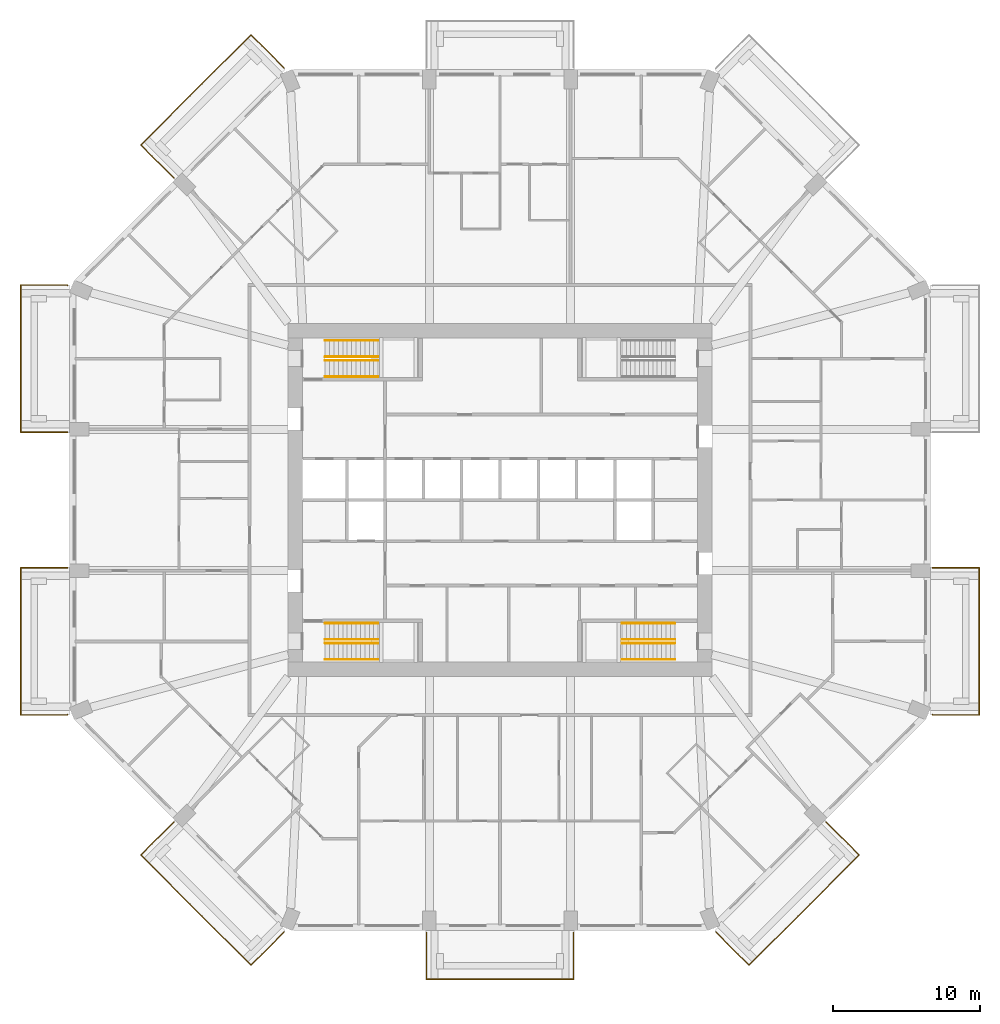
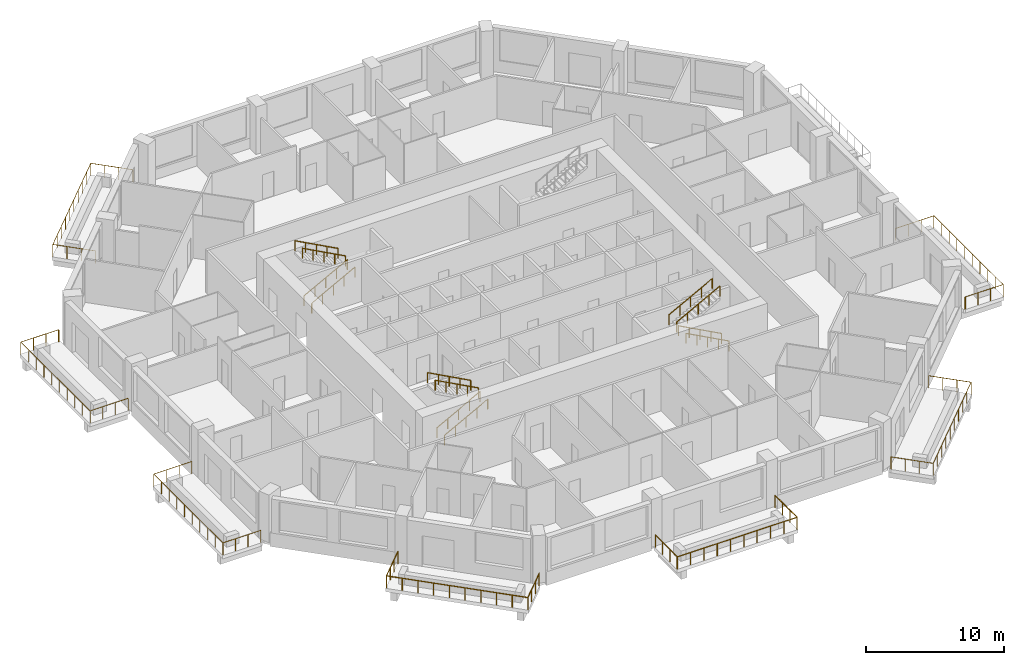
# One storey, part 12 of 13: 19 railings.
"""IFC4 building model written with IfcOpenShell, lengths in metres."""

from ifc_helpers import new_model, si_unit, direction, frame, origin, origin_2d, place, context, subcontext, project, spatial, circle, extrude, material, constituent, constituent_set, type_object, element, save


model = new_model("IFC4")

# Units and contexts
model_context = context("Model", 3, precision=1e-05, world=origin(), true_north=direction((0.0, 1.0)))
body_context = subcontext(model_context, "Body", "Model", "MODEL_VIEW")
ifc_project = project(units=[si_unit("LENGTHUNIT", "METRE"), si_unit("AREAUNIT", "SQUARE_METRE"), si_unit("VOLUMEUNIT", "CUBIC_METRE"), si_unit("PLANEANGLEUNIT", "RADIAN"), si_unit("MASSUNIT", "GRAM", prefix="KILO")], contexts=[model_context])

# Site, building, storey
site_placement = place(None, origin())
site = spatial("IfcSite", under=ifc_project, at=site_placement, CompositionType="ELEMENT")
building_placement = place(site_placement, origin())
building = spatial("IfcBuilding", under=site, at=building_placement, Name="Msitu Wima Residences", CompositionType="ELEMENT")
storey_placement = place(building_placement, frame((0.0, 0.0, 92.699951171875)))
storey = spatial("IfcBuildingStorey", under=building, at=storey_placement, Name="L21", CompositionType="ELEMENT", Elevation=92.699951171875)

# Railings
ifc_material_1 = material(Name="Steel S355", Category="steel")
ifc_constituent_1 = constituent(ifc_material_1, Name="Steel S355")
ifc_material_2 = material(Name="Weathering patina")
ifc_constituent_2 = constituent(ifc_material_2, Name="Weathering patina")
ifc_constituent_set_1 = constituent_set(constituents=[ifc_constituent_1, ifc_constituent_2], Name="Steel S355")
railing_type_1 = type_object("IfcRailingType", Name="Balcony guard GR1100", PredefinedType="GUARDRAIL", material=ifc_constituent_set_1)
railing_1_placement = place(storey_placement, frame((29.3798828125, -4.60009765625, 0.0)))
element("IfcRailing", 1, at=railing_1_placement, inside=storey, type_object=railing_type_1, Name="Balcony guard E0 L21", PredefinedType="GUARDRAIL", context=body_context, shape_type="SweptSolid", body=[
    extrude(circle(Radius=0.02392578125, at=origin_2d()), frame((0.0, 0.0, 1.076171875), z_axis=(1.0, 0.0, 0.0), x_axis=(0.0, 1.0, 0.0)), (0.0, 0.0, 1.0), 3.170166015625),
    extrude(circle(Radius=0.02392578125, at=origin_2d()), frame((3.170166015625, 0.0, 1.076171875), z_axis=(0.0, -1.0, 0.0), x_axis=(1.0, 0.0, 0.0)), (0.0, 0.0, 1.0), 10.0),
    extrude(circle(Radius=0.02392578125, at=origin_2d()), frame((3.170166015625, -10.0, 1.076171875), z_axis=(-1.0, 0.0, 0.0), x_axis=(0.0, -1.0, 0.0)), (0.0, 0.0, 1.0), 3.136474609375),
    extrude(circle(Radius=0.02392578125, at=origin_2d()), frame((0.03369140625, -10.0, 1.076171875), z_axis=(-0.92426142649, 0.38176015442, 0.0), x_axis=(-0.38176015442, -0.92426142649, 0.0)), (0.0, 0.0, 1.0), 0.036376953125),
    extrude(circle(Radius=0.02099609375, at=origin_2d()), origin(), (0.0, 0.0, 1.0), 1.052001953125),
    extrude(circle(Radius=0.02099609375, at=origin_2d()), frame((1.056640625, 0.0, 0.0)), (0.0, 0.0, 1.0), 1.052001953125),
    extrude(circle(Radius=0.02099609375, at=origin_2d()), frame((2.113525390625, 0.0, 0.0)), (0.0, 0.0, 1.0), 1.052001953125),
    extrude(circle(Radius=0.02099609375, at=origin_2d()), frame((3.170166015625, 0.0, 0.0)), (0.0, 0.0, 1.0), 1.052001953125),
    extrude(circle(Radius=0.02099609375, at=origin_2d()), frame((3.170166015625, -1.111083984375, 0.0)), (0.0, 0.0, 1.0), 1.052001953125),
    extrude(circle(Radius=0.02099609375, at=origin_2d()), frame((3.170166015625, -2.22216796875, 0.0)), (0.0, 0.0, 1.0), 1.052001953125),
    extrude(circle(Radius=0.02099609375, at=origin_2d()), frame((3.170166015625, -3.333251953125, 0.0)), (0.0, 0.0, 1.0), 1.052001953125),
    extrude(circle(Radius=0.02099609375, at=origin_2d()), frame((3.170166015625, -4.4443359375, 0.0)), (0.0, 0.0, 1.0), 1.052001953125),
    extrude(circle(Radius=0.02099609375, at=origin_2d()), frame((3.170166015625, -5.5556640625, 0.0)), (0.0, 0.0, 1.0), 1.052001953125),
    extrude(circle(Radius=0.02099609375, at=origin_2d()), frame((3.170166015625, -6.666748046875, 0.0)), (0.0, 0.0, 1.0), 1.052001953125),
    extrude(circle(Radius=0.02099609375, at=origin_2d()), frame((3.170166015625, -7.77783203125, 0.0)), (0.0, 0.0, 1.0), 1.052001953125),
    extrude(circle(Radius=0.02099609375, at=origin_2d()), frame((3.170166015625, -8.888916015625, 0.0)), (0.0, 0.0, 1.0), 1.052001953125),
    extrude(circle(Radius=0.02099609375, at=origin_2d()), frame((3.170166015625, -10.0, 0.0)), (0.0, 0.0, 1.0), 1.052001953125),
    extrude(circle(Radius=0.02099609375, at=origin_2d()), frame((2.124755859375, -10.0, 0.0)), (0.0, 0.0, 1.0), 1.052001953125),
    extrude(circle(Radius=0.02099609375, at=origin_2d()), frame((1.0791015625, -10.0, 0.0)), (0.0, 0.0, 1.0), 1.052001953125),
    extrude(circle(Radius=0.02099609375, at=origin_2d()), frame((0.03369140625, -10.0, 0.0)), (0.0, 0.0, 1.0), 1.052001953125),
    extrude(circle(Radius=0.02099609375, at=origin_2d()), frame((0.0, -9.986083984375, 0.0)), (0.0, 0.0, 1.0), 1.052001953125),
])
railing_2_placement = place(storey_placement, frame((-22.151611328125, 21.86865234375, 0.0)))
element("IfcRailing", 2, at=railing_2_placement, inside=storey, type_object=railing_type_1, Name="Balcony guard NW0 L21", PredefinedType="GUARDRAIL", context=body_context, shape_type="SweptSolid", body=[
    extrude(circle(Radius=0.02392578125, at=origin_2d()), frame((0.0, 0.0, 1.076171875), z_axis=(-0.707068272989, 0.707145287287, 0.0), x_axis=(-0.707145287287, -0.707068272989, 0.0)), (0.0, 0.0, 1.0), 3.170166015625),
    extrude(circle(Radius=0.02392578125, at=origin_2d()), frame((-2.241455078125, 2.24169921875, 1.076171875), z_axis=(0.707118316465, 0.70709524572, 0.0), x_axis=(-0.70709524572, 0.707118316465, 0.0)), (0.0, 0.0, 1.0), 10.582275390625),
    extrude(circle(Radius=0.02392578125, at=origin_2d()), frame((5.241455078125, 9.724365234375, 1.076171875), z_axis=(0.707106781187, -0.707106781187, 0.0), x_axis=(0.707106781187, 0.707106781187, 0.0)), (0.0, 0.0, 1.0), 3.136474609375),
    extrude(circle(Radius=0.02392578125, at=origin_2d()), frame((7.459228515625, 7.506591796875, 1.076171875), z_axis=(0.384136806859, -0.923276184907, 0.0), x_axis=(0.923276184907, 0.384136806859, 0.0)), (0.0, 0.0, 1.0), 0.0361328125),
    extrude(circle(Radius=0.02099609375, at=origin_2d()), origin(), (0.0, 0.0, 1.0), 1.052001953125),
    extrude(circle(Radius=0.02099609375, at=origin_2d()), frame((-0.7470703125, 0.747314453125, 0.0)), (0.0, 0.0, 1.0), 1.052001953125),
    extrude(circle(Radius=0.02099609375, at=origin_2d()), frame((-1.494384765625, 1.494384765625, 0.0)), (0.0, 0.0, 1.0), 1.052001953125),
    extrude(circle(Radius=0.02099609375, at=origin_2d()), frame((-2.241455078125, 2.24169921875, 0.0)), (0.0, 0.0, 1.0), 1.052001953125),
    extrude(circle(Radius=0.02099609375, at=origin_2d()), frame((-1.409912109375, 3.072998046875, 0.0)), (0.0, 0.0, 1.0), 1.052001953125),
    extrude(circle(Radius=0.02099609375, at=origin_2d()), frame((-0.57861328125, 3.904541015625, 0.0)), (0.0, 0.0, 1.0), 1.052001953125),
    extrude(circle(Radius=0.02099609375, at=origin_2d()), frame((0.2529296875, 4.73583984375, 0.0)), (0.0, 0.0, 1.0), 1.052001953125),
    extrude(circle(Radius=0.02099609375, at=origin_2d()), frame((1.084228515625, 5.5673828125, 0.0)), (0.0, 0.0, 1.0), 1.052001953125),
    extrude(circle(Radius=0.02099609375, at=origin_2d()), frame((1.915771484375, 6.398681640625, 0.0)), (0.0, 0.0, 1.0), 1.052001953125),
    extrude(circle(Radius=0.02099609375, at=origin_2d()), frame((2.7470703125, 7.230224609375, 0.0)), (0.0, 0.0, 1.0), 1.052001953125),
    extrude(circle(Radius=0.02099609375, at=origin_2d()), frame((3.57861328125, 8.0615234375, 0.0)), (0.0, 0.0, 1.0), 1.052001953125),
    extrude(circle(Radius=0.02099609375, at=origin_2d()), frame((4.409912109375, 8.89306640625, 0.0)), (0.0, 0.0, 1.0), 1.052001953125),
    extrude(circle(Radius=0.02099609375, at=origin_2d()), frame((5.241455078125, 9.724365234375, 0.0)), (0.0, 0.0, 1.0), 1.052001953125),
    extrude(circle(Radius=0.02099609375, at=origin_2d()), frame((5.980712890625, 8.985107421875, 0.0)), (0.0, 0.0, 1.0), 1.052001953125),
    extrude(circle(Radius=0.02099609375, at=origin_2d()), frame((6.719970703125, 8.245849609375, 0.0)), (0.0, 0.0, 1.0), 1.052001953125),
    extrude(circle(Radius=0.02099609375, at=origin_2d()), frame((7.459228515625, 7.506591796875, 0.0)), (0.0, 0.0, 1.0), 1.052001953125),
    extrude(circle(Radius=0.02099609375, at=origin_2d()), frame((7.47314453125, 7.47314453125, 0.0)), (0.0, 0.0, 1.0), 1.052001953125),
])
railing_3_placement = place(storey_placement, frame((-29.3798828125, 4.60009765625, 0.0)))
element("IfcRailing", 3, at=railing_3_placement, inside=storey, type_object=railing_type_1, Name="Balcony guard W0 L21", PredefinedType="GUARDRAIL", context=body_context, shape_type="SweptSolid", body=[
    extrude(circle(Radius=0.02392578125, at=origin_2d()), frame((0.0, 0.0, 1.076171875), z_axis=(-1.0, 0.0, 0.0), x_axis=(0.0, -1.0, 0.0)), (0.0, 0.0, 1.0), 3.170166015625),
    extrude(circle(Radius=0.02392578125, at=origin_2d()), frame((-3.170166015625, 0.0, 1.076171875), z_axis=(0.0, 1.0, 0.0), x_axis=(-1.0, 0.0, 0.0)), (0.0, 0.0, 1.0), 10.0),
    extrude(circle(Radius=0.02392578125, at=origin_2d()), frame((-3.170166015625, 10.0, 1.076171875), z_axis=(1.0, 0.0, 0.0), x_axis=(0.0, 1.0, 0.0)), (0.0, 0.0, 1.0), 3.136474609375),
    extrude(circle(Radius=0.02392578125, at=origin_2d()), frame((-0.03369140625, 10.0, 1.076171875), z_axis=(0.92426142649, -0.38176015442, 0.0), x_axis=(0.38176015442, 0.92426142649, 0.0)), (0.0, 0.0, 1.0), 0.036376953125),
    extrude(circle(Radius=0.02099609375, at=origin_2d()), origin(), (0.0, 0.0, 1.0), 1.052001953125),
    extrude(circle(Radius=0.02099609375, at=origin_2d()), frame((-1.056640625, 0.0, 0.0)), (0.0, 0.0, 1.0), 1.052001953125),
    extrude(circle(Radius=0.02099609375, at=origin_2d()), frame((-2.113525390625, 0.0, 0.0)), (0.0, 0.0, 1.0), 1.052001953125),
    extrude(circle(Radius=0.02099609375, at=origin_2d()), frame((-3.170166015625, 0.0, 0.0)), (0.0, 0.0, 1.0), 1.052001953125),
    extrude(circle(Radius=0.02099609375, at=origin_2d()), frame((-3.170166015625, 1.111083984375, 0.0)), (0.0, 0.0, 1.0), 1.052001953125),
    extrude(circle(Radius=0.02099609375, at=origin_2d()), frame((-3.170166015625, 2.22216796875, 0.0)), (0.0, 0.0, 1.0), 1.052001953125),
    extrude(circle(Radius=0.02099609375, at=origin_2d()), frame((-3.170166015625, 3.333251953125, 0.0)), (0.0, 0.0, 1.0), 1.052001953125),
    extrude(circle(Radius=0.02099609375, at=origin_2d()), frame((-3.170166015625, 4.4443359375, 0.0)), (0.0, 0.0, 1.0), 1.052001953125),
    extrude(circle(Radius=0.02099609375, at=origin_2d()), frame((-3.170166015625, 5.5556640625, 0.0)), (0.0, 0.0, 1.0), 1.052001953125),
    extrude(circle(Radius=0.02099609375, at=origin_2d()), frame((-3.170166015625, 6.666748046875, 0.0)), (0.0, 0.0, 1.0), 1.052001953125),
    extrude(circle(Radius=0.02099609375, at=origin_2d()), frame((-3.170166015625, 7.77783203125, 0.0)), (0.0, 0.0, 1.0), 1.052001953125),
    extrude(circle(Radius=0.02099609375, at=origin_2d()), frame((-3.170166015625, 8.888916015625, 0.0)), (0.0, 0.0, 1.0), 1.052001953125),
    extrude(circle(Radius=0.02099609375, at=origin_2d()), frame((-3.170166015625, 10.0, 0.0)), (0.0, 0.0, 1.0), 1.052001953125),
    extrude(circle(Radius=0.02099609375, at=origin_2d()), frame((-2.124755859375, 10.0, 0.0)), (0.0, 0.0, 1.0), 1.052001953125),
    extrude(circle(Radius=0.02099609375, at=origin_2d()), frame((-1.0791015625, 10.0, 0.0)), (0.0, 0.0, 1.0), 1.052001953125),
    extrude(circle(Radius=0.02099609375, at=origin_2d()), frame((-0.03369140625, 10.0, 0.0)), (0.0, 0.0, 1.0), 1.052001953125),
    extrude(circle(Radius=0.02099609375, at=origin_2d()), frame((0.0, 9.986083984375, 0.0)), (0.0, 0.0, 1.0), 1.052001953125),
])
railing_4_placement = place(storey_placement, frame((-29.3798828125, -14.586181640625, 0.0)))
element("IfcRailing", 4, at=railing_4_placement, inside=storey, type_object=railing_type_1, Name="Balcony guard W2 L21", PredefinedType="GUARDRAIL", context=body_context, shape_type="SweptSolid", body=[
    extrude(circle(Radius=0.02392578125, at=origin_2d()), frame((0.0, 0.0, 1.076171875), z_axis=(-0.92426142649, -0.38176015442, 0.0), x_axis=(0.38176015442, -0.92426142649, 0.0)), (0.0, 0.0, 1.0), 0.036376953125),
    extrude(circle(Radius=0.02392578125, at=origin_2d()), frame((-0.03369140625, -0.013916015625, 1.076171875), z_axis=(-1.0, 0.0, 0.0), x_axis=(0.0, -1.0, 0.0)), (0.0, 0.0, 1.0), 3.136474609375),
    extrude(circle(Radius=0.02392578125, at=origin_2d()), frame((-3.170166015625, -0.013916015625, 1.076171875), z_axis=(0.0, 1.0, 0.0), x_axis=(-1.0, 0.0, 0.0)), (0.0, 0.0, 1.0), 10.0),
    extrude(circle(Radius=0.02392578125, at=origin_2d()), frame((-3.170166015625, 9.986083984375, 1.076171875), z_axis=(1.0, 0.0, 0.0), x_axis=(0.0, 1.0, 0.0)), (0.0, 0.0, 1.0), 3.170166015625),
    extrude(circle(Radius=0.02099609375, at=origin_2d()), origin(), (0.0, 0.0, 1.0), 1.052001953125),
    extrude(circle(Radius=0.02099609375, at=origin_2d()), frame((-0.03369140625, -0.013916015625, 0.0)), (0.0, 0.0, 1.0), 1.052001953125),
    extrude(circle(Radius=0.02099609375, at=origin_2d()), frame((-1.0791015625, -0.013916015625, 0.0)), (0.0, 0.0, 1.0), 1.052001953125),
    extrude(circle(Radius=0.02099609375, at=origin_2d()), frame((-2.124755859375, -0.013916015625, 0.0)), (0.0, 0.0, 1.0), 1.052001953125),
    extrude(circle(Radius=0.02099609375, at=origin_2d()), frame((-3.170166015625, -0.013916015625, 0.0)), (0.0, 0.0, 1.0), 1.052001953125),
    extrude(circle(Radius=0.02099609375, at=origin_2d()), frame((-3.170166015625, 1.09716796875, 0.0)), (0.0, 0.0, 1.0), 1.052001953125),
    extrude(circle(Radius=0.02099609375, at=origin_2d()), frame((-3.170166015625, 2.208251953125, 0.0)), (0.0, 0.0, 1.0), 1.052001953125),
    extrude(circle(Radius=0.02099609375, at=origin_2d()), frame((-3.170166015625, 3.3193359375, 0.0)), (0.0, 0.0, 1.0), 1.052001953125),
    extrude(circle(Radius=0.02099609375, at=origin_2d()), frame((-3.170166015625, 4.430419921875, 0.0)), (0.0, 0.0, 1.0), 1.052001953125),
    extrude(circle(Radius=0.02099609375, at=origin_2d()), frame((-3.170166015625, 5.541748046875, 0.0)), (0.0, 0.0, 1.0), 1.052001953125),
    extrude(circle(Radius=0.02099609375, at=origin_2d()), frame((-3.170166015625, 6.65283203125, 0.0)), (0.0, 0.0, 1.0), 1.052001953125),
    extrude(circle(Radius=0.02099609375, at=origin_2d()), frame((-3.170166015625, 7.763916015625, 0.0)), (0.0, 0.0, 1.0), 1.052001953125),
    extrude(circle(Radius=0.02099609375, at=origin_2d()), frame((-3.170166015625, 8.875, 0.0)), (0.0, 0.0, 1.0), 1.052001953125),
    extrude(circle(Radius=0.02099609375, at=origin_2d()), frame((-3.170166015625, 9.986083984375, 0.0)), (0.0, 0.0, 1.0), 1.052001953125),
    extrude(circle(Radius=0.02099609375, at=origin_2d()), frame((-2.113525390625, 9.986083984375, 0.0)), (0.0, 0.0, 1.0), 1.052001953125),
    extrude(circle(Radius=0.02099609375, at=origin_2d()), frame((-1.056640625, 9.986083984375, 0.0)), (0.0, 0.0, 1.0), 1.052001953125),
    extrude(circle(Radius=0.02099609375, at=origin_2d()), frame((0.0, 9.986083984375, 0.0)), (0.0, 0.0, 1.0), 1.052001953125),
])
railing_5_placement = place(storey_placement, frame((-14.678466796875, -29.341796875, 0.0)))
element("IfcRailing", 5, at=railing_5_placement, inside=storey, type_object=railing_type_1, Name="Balcony guard SW1 L21", PredefinedType="GUARDRAIL", context=body_context, shape_type="SweptSolid", body=[
    extrude(circle(Radius=0.02392578125, at=origin_2d()), frame((0.0, 0.0, 1.076171875), z_axis=(-0.384136806859, -0.923276184907, 0.0), x_axis=(0.923276184907, -0.384136806859, 0.0)), (0.0, 0.0, 1.0), 0.0361328125),
    extrude(circle(Radius=0.02392578125, at=origin_2d()), frame((-0.013916015625, -0.033447265625, 1.076171875), z_axis=(-0.707106781187, -0.707106781187, 0.0), x_axis=(0.707106781187, -0.707106781187, 0.0)), (0.0, 0.0, 1.0), 3.136474609375),
    extrude(circle(Radius=0.02392578125, at=origin_2d()), frame((-2.231689453125, -2.251220703125, 1.076171875), z_axis=(-0.707118316465, 0.70709524572, 0.0), x_axis=(-0.70709524572, -0.707118316465, 0.0)), (0.0, 0.0, 1.0), 10.582275390625),
    extrude(circle(Radius=0.02392578125, at=origin_2d()), frame((-9.714599609375, 5.2314453125, 1.076171875), z_axis=(0.707068272989, 0.707145287287, 0.0), x_axis=(-0.707145287287, 0.707068272989, 0.0)), (0.0, 0.0, 1.0), 3.170166015625),
    extrude(circle(Radius=0.02099609375, at=origin_2d()), origin(), (0.0, 0.0, 1.0), 1.052001953125),
    extrude(circle(Radius=0.02099609375, at=origin_2d()), frame((-0.013916015625, -0.033447265625, 0.0)), (0.0, 0.0, 1.0), 1.052001953125),
    extrude(circle(Radius=0.02099609375, at=origin_2d()), frame((-0.753173828125, -0.772705078125, 0.0)), (0.0, 0.0, 1.0), 1.052001953125),
    extrude(circle(Radius=0.02099609375, at=origin_2d()), frame((-1.492431640625, -1.511962890625, 0.0)), (0.0, 0.0, 1.0), 1.052001953125),
    extrude(circle(Radius=0.02099609375, at=origin_2d()), frame((-2.231689453125, -2.251220703125, 0.0)), (0.0, 0.0, 1.0), 1.052001953125),
    extrude(circle(Radius=0.02099609375, at=origin_2d()), frame((-3.063232421875, -1.419921875, 0.0)), (0.0, 0.0, 1.0), 1.052001953125),
    extrude(circle(Radius=0.02099609375, at=origin_2d()), frame((-3.89453125, -0.58837890625, 0.0)), (0.0, 0.0, 1.0), 1.052001953125),
    extrude(circle(Radius=0.02099609375, at=origin_2d()), frame((-4.72607421875, 0.242919921875, 0.0)), (0.0, 0.0, 1.0), 1.052001953125),
    extrude(circle(Radius=0.02099609375, at=origin_2d()), frame((-5.557373046875, 1.074462890625, 0.0)), (0.0, 0.0, 1.0), 1.052001953125),
    extrude(circle(Radius=0.02099609375, at=origin_2d()), frame((-6.388916015625, 1.90576171875, 0.0)), (0.0, 0.0, 1.0), 1.052001953125),
    extrude(circle(Radius=0.02099609375, at=origin_2d()), frame((-7.22021484375, 2.7373046875, 0.0)), (0.0, 0.0, 1.0), 1.052001953125),
    extrude(circle(Radius=0.02099609375, at=origin_2d()), frame((-8.0517578125, 3.568603515625, 0.0)), (0.0, 0.0, 1.0), 1.052001953125),
    extrude(circle(Radius=0.02099609375, at=origin_2d()), frame((-8.883056640625, 4.400146484375, 0.0)), (0.0, 0.0, 1.0), 1.052001953125),
    extrude(circle(Radius=0.02099609375, at=origin_2d()), frame((-9.714599609375, 5.2314453125, 0.0)), (0.0, 0.0, 1.0), 1.052001953125),
    extrude(circle(Radius=0.02099609375, at=origin_2d()), frame((-8.967529296875, 5.978759765625, 0.0)), (0.0, 0.0, 1.0), 1.052001953125),
    extrude(circle(Radius=0.02099609375, at=origin_2d()), frame((-8.22021484375, 6.725830078125, 0.0)), (0.0, 0.0, 1.0), 1.052001953125),
    extrude(circle(Radius=0.02099609375, at=origin_2d()), frame((-7.47314453125, 7.47314453125, 0.0)), (0.0, 0.0, 1.0), 1.052001953125),
])
railing_6_placement = place(storey_placement, frame((5.0, -29.3798828125, 0.0)))
element("IfcRailing", 6, at=railing_6_placement, inside=storey, type_object=railing_type_1, Name="Balcony guard S1 L21", PredefinedType="GUARDRAIL", context=body_context, shape_type="SweptSolid", body=[
    extrude(circle(Radius=0.02392578125, at=origin_2d()), frame((0.0, 0.0, 1.076171875), z_axis=(0.0, -1.0, 0.0), x_axis=(1.0, 0.0, 0.0)), (0.0, 0.0, 1.0), 3.170166015625),
    extrude(circle(Radius=0.02392578125, at=origin_2d()), frame((0.0, -3.170166015625, 1.076171875), z_axis=(-1.0, 0.0, 0.0), x_axis=(0.0, -1.0, 0.0)), (0.0, 0.0, 1.0), 10.0),
    extrude(circle(Radius=0.02392578125, at=origin_2d()), frame((-10.0, -3.170166015625, 1.076171875), z_axis=(0.0, 1.0, 0.0), x_axis=(-1.0, 0.0, 0.0)), (0.0, 0.0, 1.0), 3.170166015625),
    extrude(circle(Radius=0.02099609375, at=origin_2d()), origin(), (0.0, 0.0, 1.0), 1.052001953125),
    extrude(circle(Radius=0.02099609375, at=origin_2d()), frame((0.0, -1.056640625, 0.0)), (0.0, 0.0, 1.0), 1.052001953125),
    extrude(circle(Radius=0.02099609375, at=origin_2d()), frame((0.0, -2.113525390625, 0.0)), (0.0, 0.0, 1.0), 1.052001953125),
    extrude(circle(Radius=0.02099609375, at=origin_2d()), frame((0.0, -3.170166015625, 0.0)), (0.0, 0.0, 1.0), 1.052001953125),
    extrude(circle(Radius=0.02099609375, at=origin_2d()), frame((-1.111083984375, -3.170166015625, 0.0)), (0.0, 0.0, 1.0), 1.052001953125),
    extrude(circle(Radius=0.02099609375, at=origin_2d()), frame((-2.22216796875, -3.170166015625, 0.0)), (0.0, 0.0, 1.0), 1.052001953125),
    extrude(circle(Radius=0.02099609375, at=origin_2d()), frame((-3.333251953125, -3.170166015625, 0.0)), (0.0, 0.0, 1.0), 1.052001953125),
    extrude(circle(Radius=0.02099609375, at=origin_2d()), frame((-4.4443359375, -3.170166015625, 0.0)), (0.0, 0.0, 1.0), 1.052001953125),
    extrude(circle(Radius=0.02099609375, at=origin_2d()), frame((-5.5556640625, -3.170166015625, 0.0)), (0.0, 0.0, 1.0), 1.052001953125),
    extrude(circle(Radius=0.02099609375, at=origin_2d()), frame((-6.666748046875, -3.170166015625, 0.0)), (0.0, 0.0, 1.0), 1.052001953125),
    extrude(circle(Radius=0.02099609375, at=origin_2d()), frame((-7.77783203125, -3.170166015625, 0.0)), (0.0, 0.0, 1.0), 1.052001953125),
    extrude(circle(Radius=0.02099609375, at=origin_2d()), frame((-8.888916015625, -3.170166015625, 0.0)), (0.0, 0.0, 1.0), 1.052001953125),
    extrude(circle(Radius=0.02099609375, at=origin_2d()), frame((-10.0, -3.170166015625, 0.0)), (0.0, 0.0, 1.0), 1.052001953125),
    extrude(circle(Radius=0.02099609375, at=origin_2d()), frame((-10.0, -2.113525390625, 0.0)), (0.0, 0.0, 1.0), 1.052001953125),
    extrude(circle(Radius=0.02099609375, at=origin_2d()), frame((-10.0, -1.056640625, 0.0)), (0.0, 0.0, 1.0), 1.052001953125),
    extrude(circle(Radius=0.02099609375, at=origin_2d()), frame((-10.0, 0.0, 0.0)), (0.0, 0.0, 1.0), 1.052001953125),
])
railing_7_placement = place(storey_placement, frame((22.151611328125, -21.86865234375, 0.0)))
element("IfcRailing", 7, at=railing_7_placement, inside=storey, type_object=railing_type_1, Name="Balcony guard SE0 L21", PredefinedType="GUARDRAIL", context=body_context, shape_type="SweptSolid", body=[
    extrude(circle(Radius=0.02392578125, at=origin_2d()), frame((0.0, 0.0, 1.076171875), z_axis=(0.707068272989, -0.707145287287, 0.0), x_axis=(0.707145287287, 0.707068272989, 0.0)), (0.0, 0.0, 1.0), 3.170166015625),
    extrude(circle(Radius=0.02392578125, at=origin_2d()), frame((2.241455078125, -2.24169921875, 1.076171875), z_axis=(-0.707118316465, -0.70709524572, 0.0), x_axis=(0.70709524572, -0.707118316465, 0.0)), (0.0, 0.0, 1.0), 10.582275390625),
    extrude(circle(Radius=0.02392578125, at=origin_2d()), frame((-5.241455078125, -9.724365234375, 1.076171875), z_axis=(-0.707106781187, 0.707106781187, 0.0), x_axis=(-0.707106781187, -0.707106781187, 0.0)), (0.0, 0.0, 1.0), 3.136474609375),
    extrude(circle(Radius=0.02392578125, at=origin_2d()), frame((-7.459228515625, -7.506591796875, 1.076171875), z_axis=(-0.384136806859, 0.923276184907, 0.0), x_axis=(-0.923276184907, -0.384136806859, 0.0)), (0.0, 0.0, 1.0), 0.0361328125),
    extrude(circle(Radius=0.02099609375, at=origin_2d()), origin(), (0.0, 0.0, 1.0), 1.052001953125),
    extrude(circle(Radius=0.02099609375, at=origin_2d()), frame((0.7470703125, -0.747314453125, 0.0)), (0.0, 0.0, 1.0), 1.052001953125),
    extrude(circle(Radius=0.02099609375, at=origin_2d()), frame((1.494384765625, -1.494384765625, 0.0)), (0.0, 0.0, 1.0), 1.052001953125),
    extrude(circle(Radius=0.02099609375, at=origin_2d()), frame((2.241455078125, -2.24169921875, 0.0)), (0.0, 0.0, 1.0), 1.052001953125),
    extrude(circle(Radius=0.02099609375, at=origin_2d()), frame((1.409912109375, -3.072998046875, 0.0)), (0.0, 0.0, 1.0), 1.052001953125),
    extrude(circle(Radius=0.02099609375, at=origin_2d()), frame((0.57861328125, -3.904541015625, 0.0)), (0.0, 0.0, 1.0), 1.052001953125),
    extrude(circle(Radius=0.02099609375, at=origin_2d()), frame((-0.2529296875, -4.73583984375, 0.0)), (0.0, 0.0, 1.0), 1.052001953125),
    extrude(circle(Radius=0.02099609375, at=origin_2d()), frame((-1.084228515625, -5.5673828125, 0.0)), (0.0, 0.0, 1.0), 1.052001953125),
    extrude(circle(Radius=0.02099609375, at=origin_2d()), frame((-1.915771484375, -6.398681640625, 0.0)), (0.0, 0.0, 1.0), 1.052001953125),
    extrude(circle(Radius=0.02099609375, at=origin_2d()), frame((-2.7470703125, -7.230224609375, 0.0)), (0.0, 0.0, 1.0), 1.052001953125),
    extrude(circle(Radius=0.02099609375, at=origin_2d()), frame((-3.57861328125, -8.0615234375, 0.0)), (0.0, 0.0, 1.0), 1.052001953125),
    extrude(circle(Radius=0.02099609375, at=origin_2d()), frame((-4.409912109375, -8.89306640625, 0.0)), (0.0, 0.0, 1.0), 1.052001953125),
    extrude(circle(Radius=0.02099609375, at=origin_2d()), frame((-5.241455078125, -9.724365234375, 0.0)), (0.0, 0.0, 1.0), 1.052001953125),
    extrude(circle(Radius=0.02099609375, at=origin_2d()), frame((-5.980712890625, -8.985107421875, 0.0)), (0.0, 0.0, 1.0), 1.052001953125),
    extrude(circle(Radius=0.02099609375, at=origin_2d()), frame((-6.719970703125, -8.245849609375, 0.0)), (0.0, 0.0, 1.0), 1.052001953125),
    extrude(circle(Radius=0.02099609375, at=origin_2d()), frame((-7.459228515625, -7.506591796875, 0.0)), (0.0, 0.0, 1.0), 1.052001953125),
    extrude(circle(Radius=0.02099609375, at=origin_2d()), frame((-7.47314453125, -7.47314453125, 0.0)), (0.0, 0.0, 1.0), 1.052001953125),
])
ifc_constituent_3 = constituent(ifc_material_1, Name="Steel S355")
ifc_material_3 = material(Name="Black powder coating")
ifc_constituent_4 = constituent(ifc_material_3, Name="Black powder coating")
ifc_constituent_set_2 = constituent_set(constituents=[ifc_constituent_3, ifc_constituent_4], Name="Steel S355")
railing_type_2 = type_object("IfcRailingType", Name="Stair handrail HR1", PredefinedType="HANDRAIL", material=ifc_constituent_set_2)
for number, where, name in (
    (8, (-11.875, 8.375, 0.16162109375), "Stair 1 handrail"),
    (9, (-11.875, 9.47509765625, 0.16162109375), "Stair 1 handrail"),
):
    element("IfcRailing", number, at=place(storey_placement, frame(where)), inside=storey, type_object=railing_type_2, Name=name, PredefinedType="HANDRAIL", context=body_context, shape_type="SweptSolid", body=[
        extrude(circle(Radius=0.02392578125, at=origin_2d()), frame((0.0, 0.0, 0.8759765625), z_axis=(0.880474934443, 0.0, 0.474092701714), x_axis=(0.0, 1.0, 0.0)), (0.0, 0.0, 1.0), 4.0888671875),
        extrude(circle(Radius=0.02099609375, at=origin_2d()), origin(), (0.0, 0.0, 1.0), 0.851806640625),
        extrude(circle(Radius=0.02099609375, at=origin_2d()), frame((0.89990234375, 0.0, 0.484619140625)), (0.0, 0.0, 1.0), 0.851806640625),
        extrude(circle(Radius=0.02099609375, at=origin_2d()), frame((1.800048828125, 0.0, 0.96923828125)), (0.0, 0.0, 1.0), 0.851806640625),
        extrude(circle(Radius=0.02099609375, at=origin_2d()), frame((2.7001953125, 0.0, 1.453857421875)), (0.0, 0.0, 1.0), 0.851806640625),
        extrude(circle(Radius=0.02099609375, at=origin_2d()), frame((3.60009765625, 0.0, 1.9384765625)), (0.0, 0.0, 1.0), 0.851806640625),
    ])
for number, where, name in (
    (10, (-8.27490234375, 9.72509765625, 2.261474609375), "Stair 1 handrail"),
    (11, (-8.27490234375, 10.824951171875, 2.261474609375), "Stair 1 handrail"),
):
    element("IfcRailing", number, at=place(storey_placement, frame(where)), inside=storey, type_object=railing_type_2, Name=name, PredefinedType="HANDRAIL", context=body_context, shape_type="SweptSolid", body=[
        extrude(circle(Radius=0.02392578125, at=origin_2d()), frame((0.0, 0.0, 0.8759765625), z_axis=(-0.880474934443, 0.0, 0.474092701714), x_axis=(0.0, -1.0, 0.0)), (0.0, 0.0, 1.0), 4.0888671875),
        extrude(circle(Radius=0.02099609375, at=origin_2d()), origin(), (0.0, 0.0, 1.0), 0.851806640625),
        extrude(circle(Radius=0.02099609375, at=origin_2d()), frame((-0.89990234375, 0.0, 0.484619140625)), (0.0, 0.0, 1.0), 0.851806640625),
        extrude(circle(Radius=0.02099609375, at=origin_2d()), frame((-1.800048828125, 0.0, 0.96923828125)), (0.0, 0.0, 1.0), 0.851806640625),
        extrude(circle(Radius=0.02099609375, at=origin_2d()), frame((-2.7001953125, 0.0, 1.453857421875)), (0.0, 0.0, 1.0), 0.851806640625),
        extrude(circle(Radius=0.02099609375, at=origin_2d()), frame((-3.60009765625, 0.0, 1.9384765625)), (0.0, 0.0, 1.0), 0.851806640625),
    ])
for number, where, name in (
    (12, (-11.875, -10.824951171875, 0.16162109375), "Stair 2 handrail"),
    (13, (-11.875, -9.72509765625, 0.16162109375), "Stair 2 handrail"),
):
    element("IfcRailing", number, at=place(storey_placement, frame(where)), inside=storey, type_object=railing_type_2, Name=name, PredefinedType="HANDRAIL", context=body_context, shape_type="SweptSolid", body=[
        extrude(circle(Radius=0.02392578125, at=origin_2d()), frame((0.0, 0.0, 0.8759765625), z_axis=(0.880474934443, 0.0, 0.474092701714), x_axis=(0.0, 1.0, 0.0)), (0.0, 0.0, 1.0), 4.0888671875),
        extrude(circle(Radius=0.02099609375, at=origin_2d()), origin(), (0.0, 0.0, 1.0), 0.851806640625),
        extrude(circle(Radius=0.02099609375, at=origin_2d()), frame((0.89990234375, 0.0, 0.484619140625)), (0.0, 0.0, 1.0), 0.851806640625),
        extrude(circle(Radius=0.02099609375, at=origin_2d()), frame((1.800048828125, 0.0, 0.96923828125)), (0.0, 0.0, 1.0), 0.851806640625),
        extrude(circle(Radius=0.02099609375, at=origin_2d()), frame((2.7001953125, 0.0, 1.453857421875)), (0.0, 0.0, 1.0), 0.851806640625),
        extrude(circle(Radius=0.02099609375, at=origin_2d()), frame((3.60009765625, 0.0, 1.9384765625)), (0.0, 0.0, 1.0), 0.851806640625),
    ])
for number, where, name in (
    (14, (-8.27490234375, -9.47509765625, 2.261474609375), "Stair 2 handrail"),
    (15, (-8.27490234375, -8.375, 2.261474609375), "Stair 2 handrail"),
    (16, (11.875, -10.824951171875, 0.16162109375), "Stair 4 handrail"),
    (17, (11.875, -9.72509765625, 0.16162109375), "Stair 4 handrail"),
):
    element("IfcRailing", number, at=place(storey_placement, frame(where)), inside=storey, type_object=railing_type_2, Name=name, PredefinedType="HANDRAIL", context=body_context, shape_type="SweptSolid", body=[
        extrude(circle(Radius=0.02392578125, at=origin_2d()), frame((0.0, 0.0, 0.8759765625), z_axis=(-0.880474934443, 0.0, 0.474092701714), x_axis=(0.0, -1.0, 0.0)), (0.0, 0.0, 1.0), 4.0888671875),
        extrude(circle(Radius=0.02099609375, at=origin_2d()), origin(), (0.0, 0.0, 1.0), 0.851806640625),
        extrude(circle(Radius=0.02099609375, at=origin_2d()), frame((-0.89990234375, 0.0, 0.484619140625)), (0.0, 0.0, 1.0), 0.851806640625),
        extrude(circle(Radius=0.02099609375, at=origin_2d()), frame((-1.800048828125, 0.0, 0.96923828125)), (0.0, 0.0, 1.0), 0.851806640625),
        extrude(circle(Radius=0.02099609375, at=origin_2d()), frame((-2.7001953125, 0.0, 1.453857421875)), (0.0, 0.0, 1.0), 0.851806640625),
        extrude(circle(Radius=0.02099609375, at=origin_2d()), frame((-3.60009765625, 0.0, 1.9384765625)), (0.0, 0.0, 1.0), 0.851806640625),
    ])
for number, where, name in (
    (18, (8.27490234375, -9.47509765625, 2.261474609375), "Stair 4 handrail"),
    (19, (8.27490234375, -8.375, 2.261474609375), "Stair 4 handrail"),
):
    element("IfcRailing", number, at=place(storey_placement, frame(where)), inside=storey, type_object=railing_type_2, Name=name, PredefinedType="HANDRAIL", context=body_context, shape_type="SweptSolid", body=[
        extrude(circle(Radius=0.02392578125, at=origin_2d()), frame((0.0, 0.0, 0.8759765625), z_axis=(0.880474934443, 0.0, 0.474092701714), x_axis=(0.0, 1.0, 0.0)), (0.0, 0.0, 1.0), 4.0888671875),
        extrude(circle(Radius=0.02099609375, at=origin_2d()), origin(), (0.0, 0.0, 1.0), 0.851806640625),
        extrude(circle(Radius=0.02099609375, at=origin_2d()), frame((0.89990234375, 0.0, 0.484619140625)), (0.0, 0.0, 1.0), 0.851806640625),
        extrude(circle(Radius=0.02099609375, at=origin_2d()), frame((1.800048828125, 0.0, 0.96923828125)), (0.0, 0.0, 1.0), 0.851806640625),
        extrude(circle(Radius=0.02099609375, at=origin_2d()), frame((2.7001953125, 0.0, 1.453857421875)), (0.0, 0.0, 1.0), 0.851806640625),
        extrude(circle(Radius=0.02099609375, at=origin_2d()), frame((3.60009765625, 0.0, 1.9384765625)), (0.0, 0.0, 1.0), 0.851806640625),
    ])

save(model, "model.ifc")
